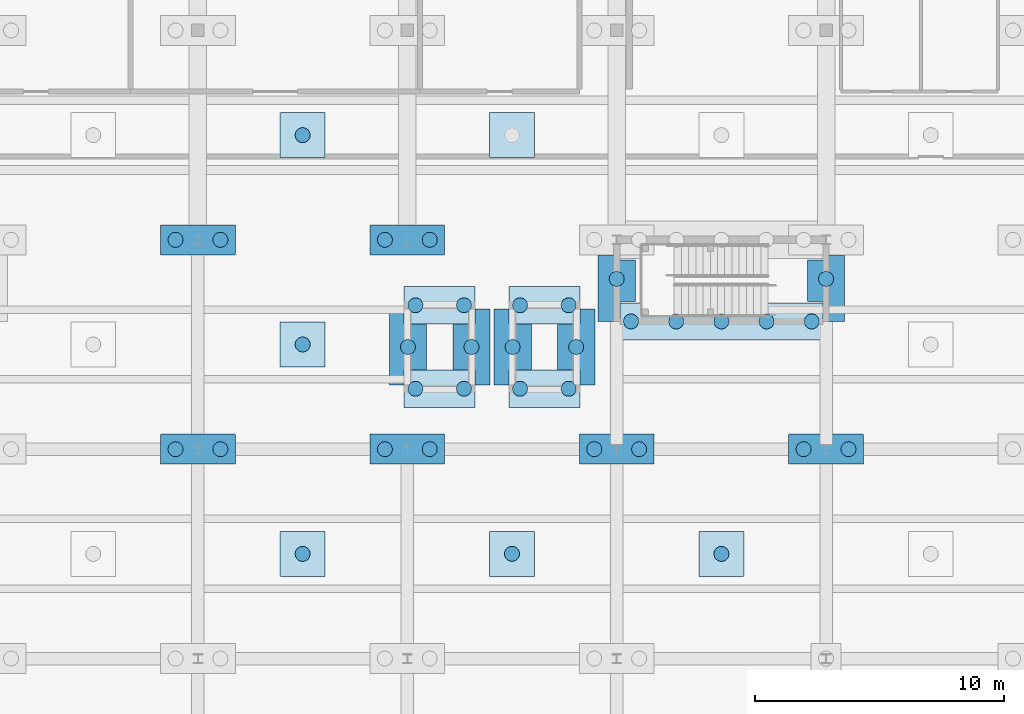
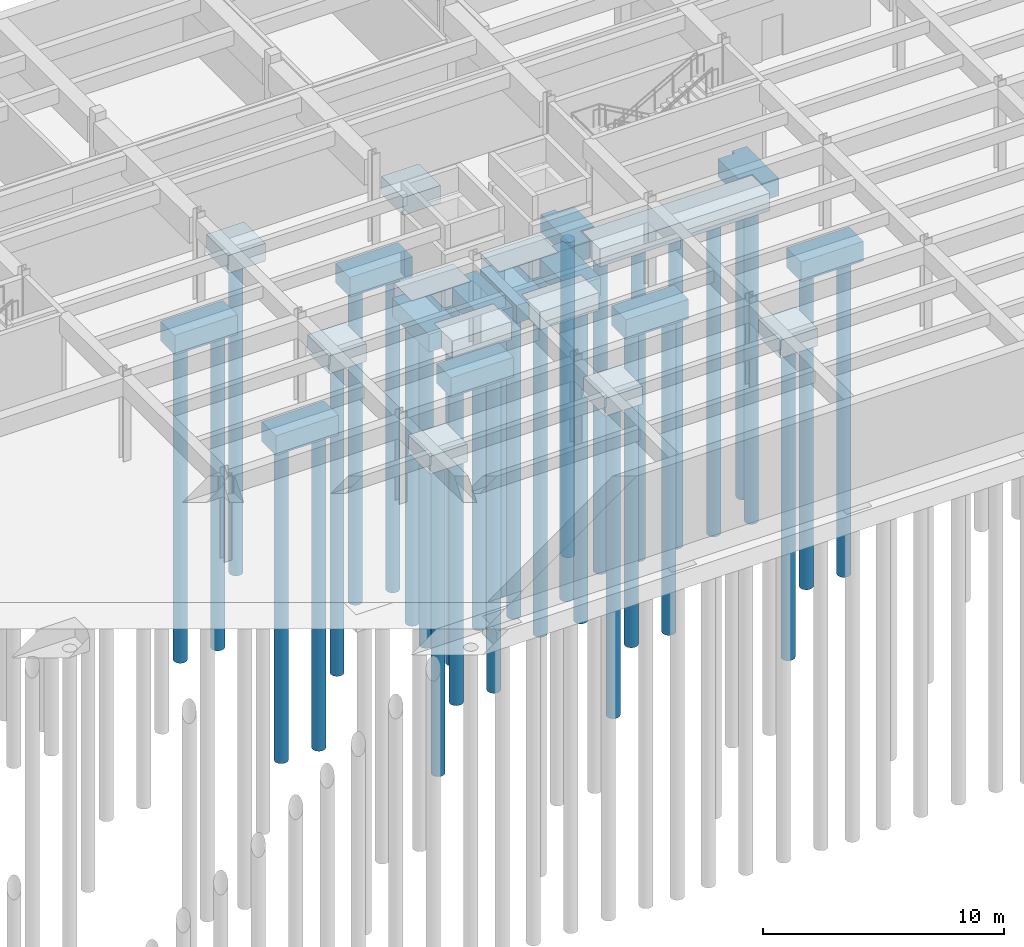
# One storey, part 7 of 33: 36 piles, 23 footings.
"""IFC4 building model written with IfcOpenShell, lengths in metres."""

from ifc_helpers import new_model, si_unit, direction, frame, origin, origin_2d, place, context, subcontext, project, spatial, polyline, circle, outline, extrude, material, layer, layer_set, material_profile, profile_set, type_object, element, save


model = new_model("IFC4")

# Units and contexts
model_context = context("Model", 3, precision=1e-05, world=origin(), true_north=direction((0.0, 1.0)))
body_context = subcontext(model_context, "Body", "Model", "MODEL_VIEW")
ifc_project = project(units=[si_unit("LENGTHUNIT", "METRE"), si_unit("AREAUNIT", "SQUARE_METRE"), si_unit("VOLUMEUNIT", "CUBIC_METRE"), si_unit("PLANEANGLEUNIT", "RADIAN"), si_unit("MASSUNIT", "GRAM", prefix="KILO")], contexts=[model_context])

# Site, building, storey
site_placement = place(None, origin())
site = spatial("IfcSite", under=ifc_project, at=site_placement, CompositionType="ELEMENT")
building_placement = place(site_placement, origin())
building = spatial("IfcBuilding", under=site, at=building_placement, Name="Ljudholm Concert House", CompositionType="ELEMENT")
storey_placement = place(building_placement, frame((0.0, 0.0, -4.60009765625)))
storey = spatial("IfcBuildingStorey", under=building, at=storey_placement, Name="B1", CompositionType="ELEMENT", Elevation=-4.60009765625)

# Piles
ifc_material_1 = material(Name="Concrete 5,000 psi", Category="concrete")
ifc_material_profile = material_profile(ifc_material_1, circle(Radius=0.300048828125, at=origin_2d()), Name="AUGER-CAST PILE D600")
ifc_profile_set = profile_set([ifc_material_profile], Name="Concrete 5,000 psi")
pile_type = type_object("IfcPileType", Name="AUGER-CAST PILE D600", PredefinedType="BORED", material=ifc_profile_set)
for number, where, z_axis, x_axis, name in (
    (1, (70.300048828125, 121.60009765625, -1.89990234375), (0.0, 0.0, -1.0), (1.0, 0.0, 0.0), "Pile D600"),
    (2, (72.10009765625, 121.60009765625, -1.89990234375), (0.0, 0.0, -1.0), (1.0, 0.0, 0.0), "Pile D600"),
    (3, (70.300048828125, 130.0, -1.89990234375), (0.0, 0.0, -1.0), (1.0, 0.0, 0.0), "Pile D600"),
    (4, (72.10009765625, 130.0, -1.89990234375), (0.0, 0.0, -1.0), (1.0, 0.0, 0.0), "Pile D600"),
    (5, (78.699951171875, 121.60009765625, -1.89990234375), (0.0, 0.0, -1.0), (1.0, 0.0, 0.0), "Pile D600"),
    (6, (80.5, 121.60009765625, -1.89990234375), (0.0, 0.0, -1.0), (1.0, 0.0, 0.0), "Pile D600"),
    (7, (78.699951171875, 130.0, -1.89990234375), (0.0, 0.0, -1.0), (1.0, 0.0, 0.0), "Pile D600"),
    (8, (80.5, 130.0, -1.89990234375), (0.0, 0.0, -1.0), (1.0, 0.0, 0.0), "Pile D600"),
    (9, (87.10009765625, 121.60009765625, -1.89990234375), (0.0, 0.0, -1.0), (1.0, 0.0, 0.0), "Pile D600"),
    (10, (88.89990234375, 121.60009765625, -1.89990234375), (0.0, 0.0, -1.0), (1.0, 0.0, 0.0), "Pile D600"),
    (11, (95.5, 121.60009765625, -1.89990234375), (0.0, 0.0, -1.0), (1.0, 0.0, 0.0), "Pile D600"),
    (12, (97.300048828125, 121.60009765625, -1.89990234375), (0.0, 0.0, -1.0), (1.0, 0.0, 0.0), "Pile D600"),
    (13, (88.574951171875, 126.72509765625, -1.7998046875), (0.0, 0.0, -1.0), (1.0, 0.0, 0.0), "Pile D600"),
    (14, (90.387451171875, 126.72509765625, -1.7998046875), (0.0, 0.0, -1.0), (1.0, 0.0, 0.0), "Pile D600"),
    (15, (92.199951171875, 126.72509765625, -1.7998046875), (0.0, 0.0, -1.0), (1.0, 0.0, 0.0), "Pile D600"),
    (16, (94.012451171875, 126.72509765625, -1.7998046875), (0.0, 0.0, -1.0), (1.0, 0.0, 0.0), "Pile D600"),
    (17, (95.824951171875, 126.72509765625, -1.7998046875), (0.0, 0.0, -1.0), (1.0, 0.0, 0.0), "Pile D600"),
    (18, (79.925048828125, 127.375, -1.7998046875), (0.0, 0.0, -1.0), (1.0, 0.0, 0.0), "Pile D600"),
    (19, (81.875, 127.375, -1.7998046875), (0.0, 0.0, -1.0), (1.0, 0.0, 0.0), "Pile D600"),
    (20, (79.925048828125, 124.02490234375, -1.7998046875), (0.0, 0.0, -1.0), (1.0, 0.0, 0.0), "Pile D600"),
    (21, (81.875, 124.02490234375, -1.7998046875), (0.0, 0.0, -1.0), (1.0, 0.0, 0.0), "Pile D600"),
    (22, (84.125, 127.375, -1.7998046875), (0.0, 0.0, -1.0), (1.0, 0.0, 0.0), "Pile D600"),
    (23, (86.074951171875, 127.375, -1.7998046875), (0.0, 0.0, -1.0), (1.0, 0.0, 0.0), "Pile D600"),
    (24, (84.125, 124.02490234375, -1.7998046875), (0.0, 0.0, -1.0), (1.0, 0.0, 0.0), "Pile D600"),
    (25, (86.074951171875, 124.02490234375, -1.7998046875), (0.0, 0.0, -1.0), (1.0, 0.0, 0.0), "Pile D600"),
    (26, (88.0, 128.43017578125, -1.7998046875), (0.0, 0.0, -1.0), (1.0, 0.0, 0.0), "Pile D600"),
    (27, (96.39990234375, 128.43017578125, -1.7998046875), (0.0, 0.0, -1.0), (1.0, 0.0, 0.0), "Pile D600"),
    (28, (82.175048828125, 125.699951171875, -1.7998046875), (0.0, 0.0, -1.0), (1.0, 0.0, 0.0), "Pile D600"),
    (29, (79.625, 125.699951171875, -1.7998046875), (0.0, 0.0, -1.0), (1.0, 0.0, 0.0), "Pile D600"),
    (30, (86.375, 125.699951171875, -1.7998046875), (0.0, 0.0, -1.0), (1.0, 0.0, 0.0), "Pile D600"),
    (31, (83.824951171875, 125.699951171875, -1.7998046875), (0.0, 0.0, -1.0), (1.0, 0.0, 0.0), "Pile D600"),
    (32, (75.39990234375, 117.39990234375, -1.7998046875), (0.0, 0.0, -1.0), (1.0, 0.0, 0.0), "Pile D600"),
    (33, (83.800048828125, 117.39990234375, -1.7998046875), (0.0, 0.0, -1.0), (1.0, 0.0, 0.0), "Pile D600"),
    (34, (92.199951171875, 117.39990234375, -1.7998046875), (0.0, 0.0, -1.0), (1.0, 0.0, 0.0), "Pile D600"),
    (35, (75.39990234375, 125.800048828125, -1.7998046875), (0.0, 0.0, -1.0), (1.0, 0.0, 0.0), "Pile D600"),
    (36, (75.39990234375, 134.199951171875, -1.7998046875), (0.0, 0.0, -1.0), (1.0, 0.0, 0.0), "Pile D600"),
):
    element("IfcPile", number, at=place(storey_placement, frame(where, z_axis=z_axis, x_axis=x_axis)), inside=storey, type_object=pile_type, Name=name, PredefinedType="BORED", context=body_context, shape_type="SweptSolid", body=[
        extrude(circle(Radius=0.300048828125, at=origin_2d()), origin(), (0.0, 0.0, 1.0), 16.0),
    ])

# Footings
ifc_material_2 = material(Name="Concrete 5,000 psi", Category="concrete")
ifc_layer_1 = layer(ifc_material_2, 0.89990234375)
ifc_layer_set_1 = layer_set([ifc_layer_1], Name="Concrete 5,000 psi")
footing_type_1 = type_object("IfcFootingType", Name="RC PILE CAP 1800x1800x900", PredefinedType="PILE_CAP", material=ifc_layer_set_1)
footing_1_placement = place(storey_placement, frame((0.0, 0.0, -1.7998046875)))
element("IfcFooting", 37, at=footing_1_placement, inside=storey, type_object=footing_type_1, Name="Uplift pile cap", PredefinedType="PILE_CAP", context=body_context, shape_type="SweptSolid", body=[
    extrude(outline(polyline([(74.510009765625, 116.5), (76.2900390625, 116.5), (76.2939453125, 116.500732421875), (76.297119140625, 116.5029296875), (76.29931640625, 116.506103515625), (76.300048828125, 116.510009765625), (76.300048828125, 118.2900390625), (76.29931640625, 118.2939453125), (76.297119140625, 118.297119140625), (76.2939453125, 118.29931640625), (76.2900390625, 118.300048828125), (74.510009765625, 118.300048828125), (74.506103515625, 118.29931640625), (74.5029296875, 118.297119140625), (74.500732421875, 118.2939453125), (74.5, 118.2900390625), (74.5, 116.510009765625), (74.500732421875, 116.506103515625), (74.5029296875, 116.5029296875), (74.506103515625, 116.500732421875), (74.510009765625, 116.5)])), origin(), (0.0, 0.0, 1.0), 0.89990234375),
])
footing_2_placement = place(storey_placement, frame((0.0, 0.0, -1.7998046875)))
element("IfcFooting", 38, at=footing_2_placement, inside=storey, type_object=footing_type_1, Name="Uplift pile cap", PredefinedType="PILE_CAP", context=body_context, shape_type="SweptSolid", body=[
    extrude(outline(polyline([(82.909912109375, 116.5), (84.68994140625, 116.5), (84.69384765625, 116.500732421875), (84.697021484375, 116.5029296875), (84.69921875, 116.506103515625), (84.699951171875, 116.510009765625), (84.699951171875, 118.2900390625), (84.69921875, 118.2939453125), (84.697021484375, 118.297119140625), (84.69384765625, 118.29931640625), (84.68994140625, 118.300048828125), (82.909912109375, 118.300048828125), (82.90625, 118.29931640625), (82.90283203125, 118.297119140625), (82.90087890625, 118.2939453125), (82.89990234375, 118.2900390625), (82.89990234375, 116.510009765625), (82.90087890625, 116.506103515625), (82.90283203125, 116.5029296875), (82.90625, 116.500732421875), (82.909912109375, 116.5)])), origin(), (0.0, 0.0, 1.0), 0.89990234375),
])
footing_3_placement = place(storey_placement, frame((0.0, 0.0, -1.7998046875)))
element("IfcFooting", 39, at=footing_3_placement, inside=storey, type_object=footing_type_1, Name="Uplift pile cap", PredefinedType="PILE_CAP", context=body_context, shape_type="SweptSolid", body=[
    extrude(outline(polyline([(91.31005859375, 116.5), (93.090087890625, 116.5), (93.09375, 116.500732421875), (93.09716796875, 116.5029296875), (93.09912109375, 116.506103515625), (93.10009765625, 116.510009765625), (93.10009765625, 118.2900390625), (93.09912109375, 118.2939453125), (93.09716796875, 118.297119140625), (93.09375, 118.29931640625), (93.090087890625, 118.300048828125), (91.31005859375, 118.300048828125), (91.30615234375, 118.29931640625), (91.302978515625, 118.297119140625), (91.30078125, 118.2939453125), (91.300048828125, 118.2900390625), (91.300048828125, 116.510009765625), (91.30078125, 116.506103515625), (91.302978515625, 116.5029296875), (91.30615234375, 116.500732421875), (91.31005859375, 116.5)])), origin(), (0.0, 0.0, 1.0), 0.89990234375),
])
footing_4_placement = place(storey_placement, frame((0.0, 0.0, -1.7998046875)))
element("IfcFooting", 40, at=footing_4_placement, inside=storey, type_object=footing_type_1, Name="Uplift pile cap", PredefinedType="PILE_CAP", context=body_context, shape_type="SweptSolid", body=[
    extrude(outline(polyline([(74.5, 126.68994140625), (74.5, 124.909912109375), (74.500732421875, 124.90625), (74.5029296875, 124.90283203125), (74.506103515625, 124.90087890625), (74.510009765625, 124.89990234375), (76.2900390625, 124.89990234375), (76.2939453125, 124.90087890625), (76.297119140625, 124.90283203125), (76.29931640625, 124.90625), (76.300048828125, 124.909912109375), (76.300048828125, 126.68994140625), (76.29931640625, 126.69384765625), (76.297119140625, 126.697021484375), (76.2939453125, 126.69921875), (76.2900390625, 126.699951171875), (74.510009765625, 126.699951171875), (74.506103515625, 126.69921875), (74.5029296875, 126.697021484375), (74.500732421875, 126.69384765625), (74.5, 126.68994140625)])), origin(), (0.0, 0.0, 1.0), 0.89990234375),
])
footing_5_placement = place(storey_placement, frame((0.0, 0.0, -1.7998046875)))
element("IfcFooting", 41, at=footing_5_placement, inside=storey, type_object=footing_type_1, Name="Uplift pile cap", PredefinedType="PILE_CAP", context=body_context, shape_type="SweptSolid", body=[
    extrude(outline(polyline([(74.510009765625, 133.300048828125), (76.2900390625, 133.300048828125), (76.2939453125, 133.30078125), (76.297119140625, 133.302978515625), (76.29931640625, 133.30615234375), (76.300048828125, 133.31005859375), (76.300048828125, 135.090087890625), (76.29931640625, 135.09375), (76.297119140625, 135.09716796875), (76.2939453125, 135.09912109375), (76.2900390625, 135.10009765625), (74.510009765625, 135.10009765625), (74.506103515625, 135.09912109375), (74.5029296875, 135.09716796875), (74.500732421875, 135.09375), (74.5, 135.090087890625), (74.5, 133.31005859375), (74.500732421875, 133.30615234375), (74.5029296875, 133.302978515625), (74.506103515625, 133.30078125), (74.510009765625, 133.300048828125)])), origin(), (0.0, 0.0, 1.0), 0.89990234375),
])
footing_6_placement = place(storey_placement, frame((0.0, 0.0, -1.7998046875)))
element("IfcFooting", 42, at=footing_6_placement, inside=storey, type_object=footing_type_1, Name="Uplift pile cap", PredefinedType="PILE_CAP", context=body_context, shape_type="SweptSolid", body=[
    extrude(outline(polyline([(82.909912109375, 133.300048828125), (84.68994140625, 133.300048828125), (84.69384765625, 133.30078125), (84.697021484375, 133.302978515625), (84.69921875, 133.30615234375), (84.699951171875, 133.31005859375), (84.699951171875, 135.090087890625), (84.69921875, 135.09375), (84.697021484375, 135.09716796875), (84.69384765625, 135.09912109375), (84.68994140625, 135.10009765625), (82.909912109375, 135.10009765625), (82.90625, 135.09912109375), (82.90283203125, 135.09716796875), (82.90087890625, 135.09375), (82.89990234375, 135.090087890625), (82.89990234375, 133.31005859375), (82.90087890625, 133.30615234375), (82.90283203125, 133.302978515625), (82.90625, 133.30078125), (82.909912109375, 133.300048828125)])), origin(), (0.0, 0.0, 1.0), 0.89990234375),
])
ifc_material_3 = material(Name="Concrete 5,000 psi", Category="concrete")
ifc_layer_2 = layer(ifc_material_3, 1.0)
ifc_layer_set_2 = layer_set([ifc_layer_2], Name="Concrete 5,000 psi")
footing_type_2 = type_object("IfcFootingType", Name="RC PILE CAP 3000x1200x1000", PredefinedType="PILE_CAP", material=ifc_layer_set_2)
footing_7_placement = place(storey_placement, frame((0.0, 0.0, -1.89990234375)))
element("IfcFooting", 43, at=footing_7_placement, inside=storey, type_object=footing_type_2, Name="Pile cap", PredefinedType="PILE_CAP", context=body_context, shape_type="SweptSolid", body=[
    extrude(outline(polyline([(69.699951171875, 122.18994140625), (69.699951171875, 121.010009765625), (69.70166015625, 121.00439453125), (69.7060546875, 121.000732421875), (69.7099609375, 121.0), (72.68994140625, 121.0), (72.695556640625, 121.001708984375), (72.69921875, 121.006103515625), (72.699951171875, 121.010009765625), (72.699951171875, 122.18994140625), (72.6982421875, 122.195556640625), (72.69384765625, 122.19921875), (72.68994140625, 122.199951171875), (69.7099609375, 122.199951171875), (69.7060546875, 122.19921875), (69.702880859375, 122.197021484375), (69.70068359375, 122.19384765625), (69.699951171875, 122.18994140625)])), origin(), (0.0, 0.0, 1.0), 1.0),
])
footing_8_placement = place(storey_placement, frame((0.0, 0.0, -1.89990234375)))
element("IfcFooting", 44, at=footing_8_placement, inside=storey, type_object=footing_type_2, Name="Pile cap", PredefinedType="PILE_CAP", context=body_context, shape_type="SweptSolid", body=[
    extrude(outline(polyline([(69.7099609375, 129.39990234375), (72.68994140625, 129.39990234375), (72.69384765625, 129.40087890625), (72.6982421875, 129.404541015625), (72.699951171875, 129.409912109375), (72.699951171875, 130.590087890625), (72.69921875, 130.59375), (72.695556640625, 130.598388671875), (72.68994140625, 130.60009765625), (69.7099609375, 130.60009765625), (69.7060546875, 130.59912109375), (69.70166015625, 130.595458984375), (69.699951171875, 130.590087890625), (69.699951171875, 129.409912109375), (69.70068359375, 129.40625), (69.702880859375, 129.40283203125), (69.7060546875, 129.40087890625), (69.7099609375, 129.39990234375)])), origin(), (0.0, 0.0, 1.0), 1.0),
])
footing_9_placement = place(storey_placement, frame((0.0, 0.0, -1.89990234375)))
element("IfcFooting", 45, at=footing_9_placement, inside=storey, type_object=footing_type_2, Name="Pile cap", PredefinedType="PILE_CAP", context=body_context, shape_type="SweptSolid", body=[
    extrude(outline(polyline([(78.10009765625, 122.18994140625), (78.10009765625, 121.010009765625), (78.101806640625, 121.00439453125), (78.106201171875, 121.000732421875), (78.110107421875, 121.0), (81.090087890625, 121.0), (81.095458984375, 121.001708984375), (81.09912109375, 121.006103515625), (81.10009765625, 121.010009765625), (81.10009765625, 122.18994140625), (81.098388671875, 122.195556640625), (81.09375, 122.19921875), (81.090087890625, 122.199951171875), (78.110107421875, 122.199951171875), (78.106201171875, 122.19921875), (78.10302734375, 122.197021484375), (78.100830078125, 122.19384765625), (78.10009765625, 122.18994140625)])), origin(), (0.0, 0.0, 1.0), 1.0),
])
footing_10_placement = place(storey_placement, frame((0.0, 0.0, -1.89990234375)))
element("IfcFooting", 46, at=footing_10_placement, inside=storey, type_object=footing_type_2, Name="Pile cap", PredefinedType="PILE_CAP", context=body_context, shape_type="SweptSolid", body=[
    extrude(outline(polyline([(78.110107421875, 129.39990234375), (81.090087890625, 129.39990234375), (81.09375, 129.40087890625), (81.098388671875, 129.404541015625), (81.10009765625, 129.409912109375), (81.10009765625, 130.590087890625), (81.09912109375, 130.59375), (81.095458984375, 130.598388671875), (81.090087890625, 130.60009765625), (78.110107421875, 130.60009765625), (78.106201171875, 130.59912109375), (78.101806640625, 130.595458984375), (78.10009765625, 130.590087890625), (78.10009765625, 129.409912109375), (78.100830078125, 129.40625), (78.10302734375, 129.40283203125), (78.106201171875, 129.40087890625), (78.110107421875, 129.39990234375)])), origin(), (0.0, 0.0, 1.0), 1.0),
])
footing_11_placement = place(storey_placement, frame((0.0, 0.0, -1.89990234375)))
element("IfcFooting", 47, at=footing_11_placement, inside=storey, type_object=footing_type_2, Name="Pile cap", PredefinedType="PILE_CAP", context=body_context, shape_type="SweptSolid", body=[
    extrude(outline(polyline([(86.5, 122.18994140625), (86.5, 121.010009765625), (86.501708984375, 121.00439453125), (86.506103515625, 121.000732421875), (86.510009765625, 121.0), (89.489990234375, 121.0), (89.49560546875, 121.001708984375), (89.499267578125, 121.006103515625), (89.5, 121.010009765625), (89.5, 122.18994140625), (89.498291015625, 122.195556640625), (89.493896484375, 122.19921875), (89.489990234375, 122.199951171875), (86.510009765625, 122.199951171875), (86.506103515625, 122.19921875), (86.5029296875, 122.197021484375), (86.500732421875, 122.19384765625), (86.5, 122.18994140625)])), origin(), (0.0, 0.0, 1.0), 1.0),
])
footing_12_placement = place(storey_placement, frame((0.0, 0.0, -1.89990234375)))
element("IfcFooting", 48, at=footing_12_placement, inside=storey, type_object=footing_type_2, Name="Pile cap", PredefinedType="PILE_CAP", context=body_context, shape_type="SweptSolid", body=[
    extrude(outline(polyline([(94.89990234375, 122.18994140625), (94.89990234375, 121.010009765625), (94.901611328125, 121.00439453125), (94.90625, 121.000732421875), (94.909912109375, 121.0), (97.889892578125, 121.0), (97.8955078125, 121.001708984375), (97.899169921875, 121.006103515625), (97.89990234375, 121.010009765625), (97.89990234375, 122.18994140625), (97.898193359375, 122.195556640625), (97.893798828125, 122.19921875), (97.889892578125, 122.199951171875), (94.909912109375, 122.199951171875), (94.90625, 122.19921875), (94.90283203125, 122.197021484375), (94.90087890625, 122.19384765625), (94.89990234375, 122.18994140625)])), origin(), (0.0, 0.0, 1.0), 1.0),
])
ifc_material_4 = material(Name="Concrete 5,000 psi", Category="concrete")
ifc_layer_3 = layer(ifc_material_4, 0.89990234375)
ifc_layer_set_3 = layer_set([ifc_layer_3], Name="Concrete 5,000 psi")
footing_type_3 = type_object("IfcFootingType", Name="RC STRIP FOOTING 1500x900", PredefinedType="STRIP_FOOTING", material=ifc_layer_set_3)
footing_13_placement = place(storey_placement, frame((0.0, 0.0, -1.7998046875)))
element("IfcFooting", 49, at=footing_13_placement, inside=storey, type_object=footing_type_3, Name="Strip footing", PredefinedType="STRIP_FOOTING", context=body_context, shape_type="SweptSolid", body=[
    extrude(outline(polyline([(88.135009765625, 125.97509765625), (96.266845703125, 125.97509765625), (96.269775390625, 125.97607421875), (96.272705078125, 125.978759765625), (96.274169921875, 125.981201171875), (96.27490234375, 125.985107421875), (96.27490234375, 127.467041015625), (96.27392578125, 127.4697265625), (96.271240234375, 127.47265625), (96.268798828125, 127.47412109375), (96.264892578125, 127.47509765625), (88.133056640625, 127.474853515625), (88.13037109375, 127.473876953125), (88.127197265625, 127.471435546875), (88.125732421875, 127.46875), (88.125, 127.465087890625), (88.125, 125.985107421875), (88.125732421875, 125.981201171875), (88.1279296875, 125.97802734375), (88.131103515625, 125.975830078125), (88.135009765625, 125.97509765625)])), origin(), (0.0, 0.0, 1.0), 0.89990234375),
])
footing_14_placement = place(storey_placement, frame((0.0, 0.0, -1.7998046875)))
element("IfcFooting", 50, at=footing_14_placement, inside=storey, type_object=footing_type_3, Name="Strip footing", PredefinedType="STRIP_FOOTING", context=body_context, shape_type="SweptSolid", body=[
    extrude(outline(polyline([(79.485107421875, 126.625), (82.31494140625, 126.625), (82.31982421875, 126.626220703125), (82.32373046875, 126.63037109375), (82.324951171875, 126.635009765625), (82.324951171875, 128.114990234375), (82.32373046875, 128.11962890625), (82.31982421875, 128.123779296875), (82.31494140625, 128.125), (79.485107421875, 128.125), (79.480224609375, 128.123779296875), (79.47607421875, 128.11962890625), (79.47509765625, 128.114990234375), (79.47509765625, 126.635009765625), (79.475830078125, 126.631103515625), (79.47802734375, 126.6279296875), (79.481201171875, 126.625732421875), (79.485107421875, 126.625)])), origin(), (0.0, 0.0, 1.0), 0.89990234375),
])
footing_15_placement = place(storey_placement, frame((0.0, 0.0, -1.7998046875)))
element("IfcFooting", 51, at=footing_15_placement, inside=storey, type_object=footing_type_3, Name="Strip footing", PredefinedType="STRIP_FOOTING", context=body_context, shape_type="SweptSolid", body=[
    extrude(outline(polyline([(79.485107421875, 123.27490234375), (82.31494140625, 123.27490234375), (82.31982421875, 123.276123046875), (82.32373046875, 123.2802734375), (82.324951171875, 123.284912109375), (82.324951171875, 124.764892578125), (82.32373046875, 124.769775390625), (82.31982421875, 124.77392578125), (82.31494140625, 124.77490234375), (79.485107421875, 124.77490234375), (79.480224609375, 124.77392578125), (79.47607421875, 124.769775390625), (79.47509765625, 124.764892578125), (79.47509765625, 123.284912109375), (79.475830078125, 123.28125), (79.47802734375, 123.27783203125), (79.481201171875, 123.27587890625), (79.485107421875, 123.27490234375)])), origin(), (0.0, 0.0, 1.0), 0.89990234375),
])
footing_16_placement = place(storey_placement, frame((0.0, 0.0, -1.7998046875)))
element("IfcFooting", 52, at=footing_16_placement, inside=storey, type_object=footing_type_3, Name="Strip footing", PredefinedType="STRIP_FOOTING", context=body_context, shape_type="SweptSolid", body=[
    extrude(outline(polyline([(83.68505859375, 126.625), (86.514892578125, 126.625), (86.519775390625, 126.626220703125), (86.52392578125, 126.63037109375), (86.52490234375, 126.635009765625), (86.52490234375, 128.114990234375), (86.52392578125, 128.11962890625), (86.519775390625, 128.123779296875), (86.514892578125, 128.125), (83.68505859375, 128.125), (83.68017578125, 128.123779296875), (83.67626953125, 128.11962890625), (83.675048828125, 128.114990234375), (83.675048828125, 126.635009765625), (83.67578125, 126.631103515625), (83.677978515625, 126.6279296875), (83.68115234375, 126.625732421875), (83.68505859375, 126.625)])), origin(), (0.0, 0.0, 1.0), 0.89990234375),
])
footing_17_placement = place(storey_placement, frame((0.0, 0.0, -1.7998046875)))
element("IfcFooting", 53, at=footing_17_placement, inside=storey, type_object=footing_type_3, Name="Strip footing", PredefinedType="STRIP_FOOTING", context=body_context, shape_type="SweptSolid", body=[
    extrude(outline(polyline([(83.68505859375, 123.27490234375), (86.514892578125, 123.27490234375), (86.519775390625, 123.276123046875), (86.52392578125, 123.2802734375), (86.52490234375, 123.284912109375), (86.52490234375, 124.764892578125), (86.52392578125, 124.769775390625), (86.519775390625, 124.77392578125), (86.514892578125, 124.77490234375), (83.68505859375, 124.77490234375), (83.68017578125, 124.77392578125), (83.67626953125, 124.769775390625), (83.675048828125, 124.764892578125), (83.675048828125, 123.284912109375), (83.67578125, 123.28125), (83.677978515625, 123.27783203125), (83.68115234375, 123.27587890625), (83.68505859375, 123.27490234375)])), origin(), (0.0, 0.0, 1.0), 0.89990234375),
])
footing_18_placement = place(storey_placement, frame((0.0, 0.0, -1.7998046875)))
element("IfcFooting", 54, at=footing_18_placement, inside=storey, type_object=footing_type_3, Name="Strip footing", PredefinedType="STRIP_FOOTING", context=body_context, shape_type="SweptSolid", body=[
    extrude(outline(polyline([(87.260009765625, 126.72509765625), (88.06494140625, 126.72509765625), (88.06982421875, 126.72607421875), (88.07373046875, 126.730224609375), (88.074951171875, 126.735107421875), (88.074951171875, 127.5146484375), (88.075439453125, 127.517822265625), (88.077392578125, 127.521240234375), (88.081298828125, 127.524169921875), (88.085205078125, 127.52490234375), (88.739990234375, 127.52490234375), (88.74462890625, 127.526123046875), (88.748291015625, 127.529541015625), (88.75, 127.534912109375), (88.75, 129.18994140625), (88.748779296875, 129.19482421875), (88.74560546875, 129.1982421875), (88.739990234375, 129.199951171875), (87.96728515625, 129.199951171875), (87.96337890625, 129.201171875), (87.961181640625, 129.202880859375), (87.95947265625, 129.205322265625), (87.958251953125, 129.208984375), (87.958251953125, 129.389892578125), (87.95751953125, 129.393798828125), (87.955810546875, 129.396240234375), (87.951171875, 129.399658203125), (87.260009765625, 129.39990234375), (87.25537109375, 129.39892578125), (87.251708984375, 129.3955078125), (87.25, 129.389892578125), (87.25, 126.735107421875), (87.250732421875, 126.731201171875), (87.2529296875, 126.72802734375), (87.256103515625, 126.725830078125), (87.260009765625, 126.72509765625)])), origin(), (0.0, 0.0, 1.0), 0.89990234375),
])
footing_19_placement = place(storey_placement, frame((0.0, 0.0, -1.7998046875)))
element("IfcFooting", 55, at=footing_19_placement, inside=storey, type_object=footing_type_3, Name="Strip footing", PredefinedType="STRIP_FOOTING", context=body_context, shape_type="SweptSolid", body=[
    extrude(outline(polyline([(95.64990234375, 129.18994140625), (95.64990234375, 127.534912109375), (95.651611328125, 127.529541015625), (95.6552734375, 127.526123046875), (95.659912109375, 127.52490234375), (96.314697265625, 127.52490234375), (96.31884765625, 127.524169921875), (96.32275390625, 127.521240234375), (96.324462890625, 127.517822265625), (96.324951171875, 127.5146484375), (96.324951171875, 126.735107421875), (96.326171875, 126.730224609375), (96.330322265625, 126.72607421875), (96.3349609375, 126.72509765625), (97.139892578125, 126.72509765625), (97.1455078125, 126.726806640625), (97.14892578125, 126.730224609375), (97.14990234375, 126.735107421875), (97.14990234375, 129.389892578125), (97.148193359375, 129.3955078125), (97.144775390625, 129.39892578125), (97.139892578125, 129.39990234375), (96.450927734375, 129.39990234375), (96.447021484375, 129.39892578125), (96.44482421875, 129.39697265625), (96.442626953125, 129.393798828125), (96.44189453125, 129.390869140625), (96.44189453125, 129.210205078125), (96.440185546875, 129.204345703125), (96.438232421875, 129.202392578125), (96.434814453125, 129.200439453125), (95.659912109375, 129.199951171875), (95.65625, 129.19921875), (95.65283203125, 129.197021484375), (95.65087890625, 129.19384765625), (95.64990234375, 129.18994140625)])), origin(), (0.0, 0.0, 1.0), 0.89990234375),
])
footing_20_placement = place(storey_placement, frame((0.0, 0.0, -1.7998046875)))
element("IfcFooting", 56, at=footing_20_placement, inside=storey, type_object=footing_type_3, Name="Strip footing", PredefinedType="STRIP_FOOTING", context=body_context, shape_type="SweptSolid", body=[
    extrude(outline(polyline([(81.425048828125, 126.614990234375), (81.425048828125, 124.784912109375), (81.4267578125, 124.779541015625), (81.43017578125, 124.776123046875), (81.43505859375, 124.77490234375), (82.314697265625, 124.77490234375), (82.31884765625, 124.774169921875), (82.3232421875, 124.7705078125), (82.324951171875, 124.7646484375), (82.324951171875, 124.18505859375), (82.32568359375, 124.18115234375), (82.327880859375, 124.177978515625), (82.3310546875, 124.17578125), (82.3349609375, 124.175048828125), (82.9150390625, 124.175048828125), (82.920654296875, 124.1767578125), (82.923828125, 124.18017578125), (82.925048828125, 124.18505859375), (82.925048828125, 127.215087890625), (82.92333984375, 127.220458984375), (82.919677734375, 127.223876953125), (82.9150390625, 127.22509765625), (82.3349609375, 127.22509765625), (82.3310546875, 127.22412109375), (82.327880859375, 127.22216796875), (82.32568359375, 127.21875), (82.324951171875, 127.215087890625), (82.324951171875, 126.63525390625), (82.3232421875, 126.62939453125), (82.31884765625, 126.625732421875), (82.314697265625, 126.625), (81.43505859375, 126.625), (81.43115234375, 126.624267578125), (81.427978515625, 126.6220703125), (81.42578125, 126.618896484375), (81.425048828125, 126.614990234375)])), origin(), (0.0, 0.0, 1.0), 0.89990234375),
])
footing_21_placement = place(storey_placement, frame((0.0, 0.0, -1.7998046875)))
element("IfcFooting", 57, at=footing_21_placement, inside=storey, type_object=footing_type_3, Name="Strip footing", PredefinedType="STRIP_FOOTING", context=body_context, shape_type="SweptSolid", body=[
    extrude(outline(polyline([(78.885009765625, 124.175048828125), (79.465087890625, 124.175048828125), (79.46875, 124.17578125), (79.47216796875, 124.177978515625), (79.47412109375, 124.18115234375), (79.47509765625, 124.18505859375), (79.47509765625, 124.7646484375), (79.476806640625, 124.7705078125), (79.481201171875, 124.774169921875), (79.4853515625, 124.77490234375), (80.364990234375, 124.77490234375), (80.368896484375, 124.77587890625), (80.371337890625, 124.77734375), (80.373779296875, 124.7802734375), (80.374755859375, 124.782958984375), (80.375, 126.614990234375), (80.374267578125, 126.618896484375), (80.37060546875, 126.623291015625), (80.364990234375, 126.625), (79.4853515625, 126.625), (79.4794921875, 126.626708984375), (79.47607421875, 126.63037109375), (79.47509765625, 126.63525390625), (79.47509765625, 127.215087890625), (79.47412109375, 127.21875), (79.47265625, 127.221435546875), (79.4697265625, 127.223876953125), (79.467041015625, 127.224853515625), (78.885009765625, 127.22509765625), (78.881103515625, 127.22412109375), (78.878662109375, 127.22265625), (78.876220703125, 127.2197265625), (78.875244140625, 127.217041015625), (78.875, 124.18505859375), (78.875732421875, 124.18115234375), (78.8779296875, 124.177978515625), (78.881103515625, 124.17578125), (78.885009765625, 124.175048828125)])), origin(), (0.0, 0.0, 1.0), 0.89990234375),
])
footing_22_placement = place(storey_placement, frame((0.0, 0.0, -1.7998046875)))
element("IfcFooting", 58, at=footing_22_placement, inside=storey, type_object=footing_type_3, Name="Strip footing", PredefinedType="STRIP_FOOTING", context=body_context, shape_type="SweptSolid", body=[
    extrude(outline(polyline([(85.625, 126.614990234375), (85.625, 124.784912109375), (85.626708984375, 124.779541015625), (85.63037109375, 124.776123046875), (85.635009765625, 124.77490234375), (86.5146484375, 124.77490234375), (86.518798828125, 124.774169921875), (86.523193359375, 124.7705078125), (86.52490234375, 124.7646484375), (86.52490234375, 124.18505859375), (86.52587890625, 124.18115234375), (86.52783203125, 124.177978515625), (86.53125, 124.17578125), (86.534912109375, 124.175048828125), (87.114990234375, 124.175048828125), (87.12060546875, 124.1767578125), (87.123779296875, 124.18017578125), (87.125, 124.18505859375), (87.125, 127.215087890625), (87.123291015625, 127.220458984375), (87.11962890625, 127.223876953125), (87.114990234375, 127.22509765625), (86.534912109375, 127.22509765625), (86.53125, 127.22412109375), (86.52783203125, 127.22216796875), (86.52587890625, 127.21875), (86.52490234375, 127.215087890625), (86.52490234375, 126.63525390625), (86.523193359375, 126.62939453125), (86.518798828125, 126.625732421875), (86.5146484375, 126.625), (85.635009765625, 126.625), (85.631103515625, 126.624267578125), (85.6279296875, 126.6220703125), (85.625732421875, 126.618896484375), (85.625, 126.614990234375)])), origin(), (0.0, 0.0, 1.0), 0.89990234375),
])
footing_23_placement = place(storey_placement, frame((0.0, 0.0, -1.7998046875)))
element("IfcFooting", 59, at=footing_23_placement, inside=storey, type_object=footing_type_3, Name="Strip footing", PredefinedType="STRIP_FOOTING", context=body_context, shape_type="SweptSolid", body=[
    extrude(outline(polyline([(83.0849609375, 124.175048828125), (83.6650390625, 124.175048828125), (83.6689453125, 124.17578125), (83.672119140625, 124.177978515625), (83.67431640625, 124.18115234375), (83.675048828125, 124.18505859375), (83.675048828125, 124.7646484375), (83.6767578125, 124.7705078125), (83.68115234375, 124.774169921875), (83.685302734375, 124.77490234375), (84.56494140625, 124.77490234375), (84.56884765625, 124.77587890625), (84.5712890625, 124.77734375), (84.57373046875, 124.7802734375), (84.57470703125, 124.782958984375), (84.574951171875, 126.614990234375), (84.57421875, 126.618896484375), (84.570556640625, 126.623291015625), (84.56494140625, 126.625), (83.685302734375, 126.625), (83.679443359375, 126.626708984375), (83.67626953125, 126.63037109375), (83.675048828125, 126.63525390625), (83.675048828125, 127.215087890625), (83.67431640625, 127.21875), (83.6728515625, 127.221435546875), (83.669677734375, 127.223876953125), (83.6669921875, 127.224853515625), (83.0849609375, 127.22509765625), (83.0810546875, 127.22412109375), (83.07861328125, 127.22265625), (83.076171875, 127.2197265625), (83.0751953125, 127.217041015625), (83.074951171875, 124.18505859375), (83.07568359375, 124.18115234375), (83.077880859375, 124.177978515625), (83.0810546875, 124.17578125), (83.0849609375, 124.175048828125)])), origin(), (0.0, 0.0, 1.0), 0.89990234375),
])

save(model, "model.ifc")
